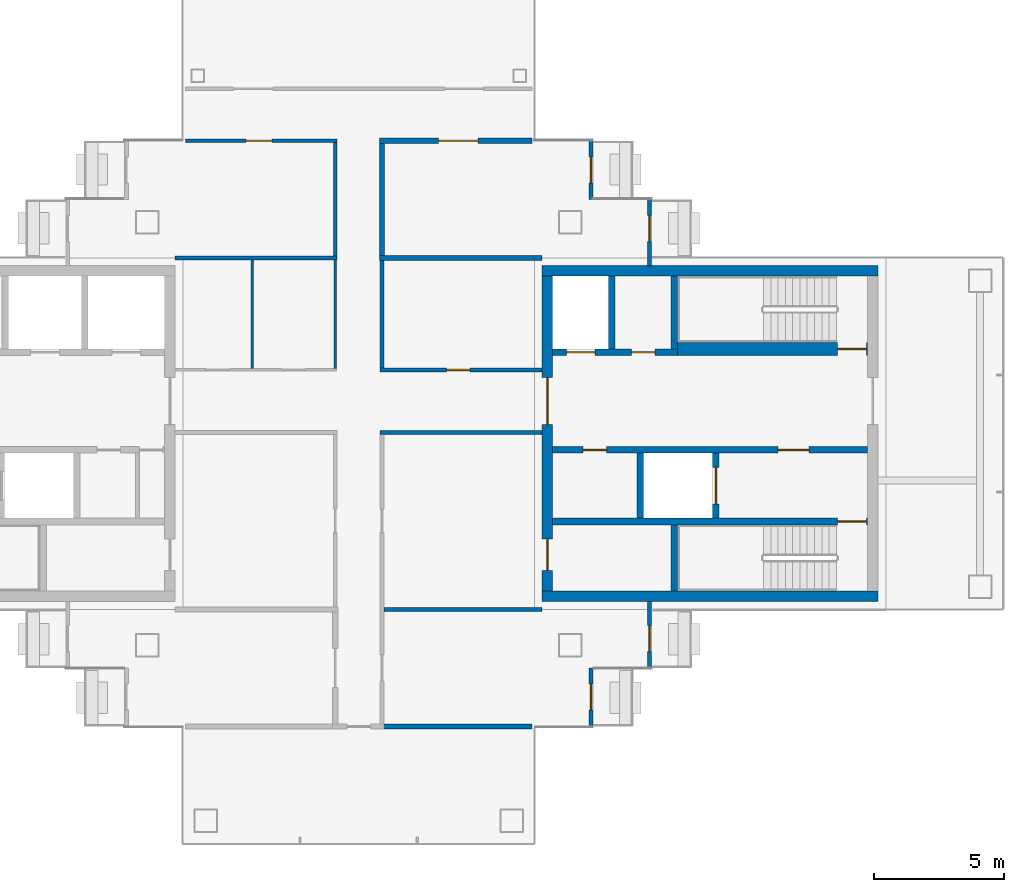
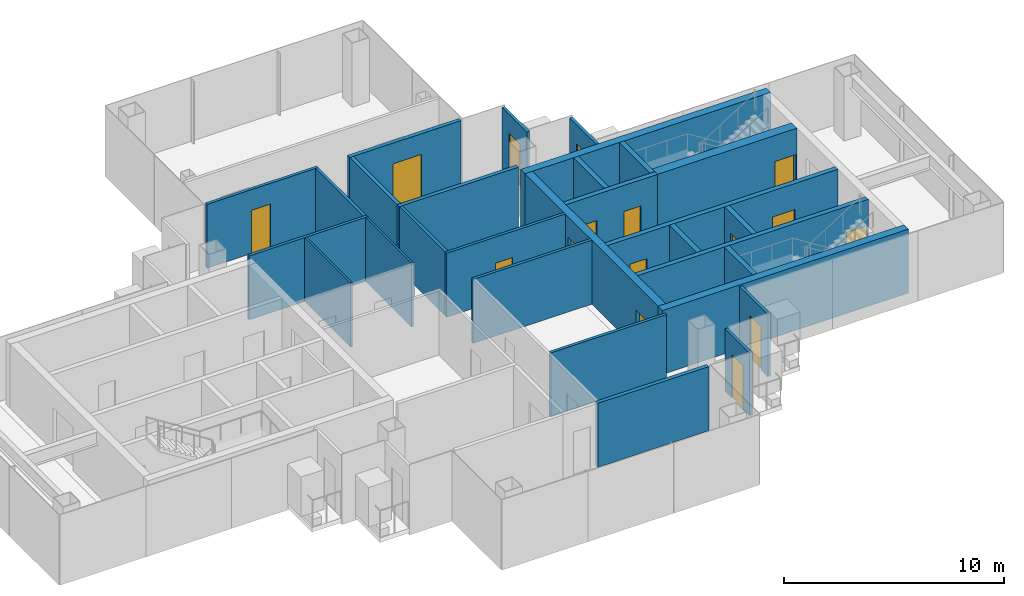
# One storey, part 12 of 17: 29 walls, 16 doors, 16 openings.
"""IFC4 building model written with IfcOpenShell, lengths in metres."""

from ifc_helpers import new_model, si_unit, direction, frame, frame_2d, origin, place, context, subcontext, project, spatial, rectangle, extrude, material, layer, layer_set, type_object, element, fill, save


model = new_model("IFC4")

# Units and contexts
model_context = context("Model", 3, precision=1e-05, world=origin(), true_north=direction((0.0, 1.0)))
body_context = subcontext(model_context, "Body", "Model", "MODEL_VIEW")
ifc_project = project(units=[si_unit("LENGTHUNIT", "METRE"), si_unit("AREAUNIT", "SQUARE_METRE"), si_unit("VOLUMEUNIT", "CUBIC_METRE"), si_unit("PLANEANGLEUNIT", "RADIAN"), si_unit("MASSUNIT", "GRAM", prefix="KILO")], contexts=[model_context])

# Site, building, storey
site_placement = place(None, origin())
site = spatial("IfcSite", under=ifc_project, at=site_placement, CompositionType="ELEMENT")
building_placement = place(site_placement, origin())
building = spatial("IfcBuilding", under=site, at=building_placement, Name="Shamsa Quay Exchange Towers", CompositionType="ELEMENT")
storey_placement = place(building_placement, frame((0.0, 0.0, 234.300048828125)))
storey = spatial("IfcBuildingStorey", under=building, at=storey_placement, Name="L56", CompositionType="ELEMENT", Elevation=234.300048828125)

# Wall
ifc_material_1 = material(Name="Double-leaf gypsum board partition with acoustic insulation")
ifc_layer_1 = layer(ifc_material_1, 0.199951171875)
ifc_layer_set_1 = layer_set([ifc_layer_1], Name="Acoustic partition 200 mm EI 60")
wall_type_1 = type_object("IfcWallType", Name="Acoustic partition 200 mm EI 60", PredefinedType="PARTITIONING", material=ifc_layer_set_1)
wall_1_placement = place(storey_placement, frame((34.650390625, 11.14990234375, 0.0), z_axis=(0.0, 0.0, 1.0), x_axis=(0.0, -1.0, 0.0)))
element("IfcWall", 1, at=wall_1_placement, inside=storey, type_object=wall_type_1, Name="Partition T2-R25-W11", PredefinedType="PARTITIONING", context=body_context, shape_type="SweptSolid", body=[
    extrude(rectangle(XDim=4.2998046875, YDim=0.199951171875, at=frame_2d((2.14990234375, 0.0))), origin(), (0.0, 0.0, 1.0), 3.550048828125),
])

# Wall, opening, door
wall_2_placement = place(storey_placement, frame((40.405029296875, 11.25, 0.0), z_axis=(0.0, 0.0, 1.0), x_axis=(-1.0, 0.0, 0.0)))
wall_2 = element("IfcWall", 2, at=wall_2_placement, inside=storey, type_object=wall_type_1, Name="Partition T2-R25-W12", PredefinedType="PARTITIONING", context=body_context, shape_type="SweptSolid", body=[
    extrude(rectangle(XDim=5.854736328125, YDim=0.199951171875, at=frame_2d((2.92724609375, 0.0))), origin(), (0.0, 0.0, 1.0), 3.550048828125),
])
opening_1_placement = place(wall_2_placement, frame((2.079833984375, 0.0, 0.0)))
opening_1 = element("IfcOpeningElement", 3, at=opening_1_placement, cuts=wall_2, Name="Opening T2-R25-D04", PredefinedType="OPENING", context=body_context, shape_type="SweptSolid", body=[
    extrude(rectangle(XDim=1.5, YDim=2.39990234375, at=frame_2d((0.75, 1.199951171875))), frame((0.0, 0.10986328125, 0.0), z_axis=(0.0, -1.0, 0.0), x_axis=(1.0, 0.0, 0.0)), (0.0, 0.0, 1.0), 0.219970703125),
])
ifc_material_2 = material(Name="Timber door leaf in a metal frame", Category="wood")
door_type_1 = type_object("IfcDoorType", Name="Door 1500x2400 FD30S pair", OperationType="NOTDEFINED", PredefinedType="DOOR", material=ifc_material_2)
door_1_placement = place(opening_1_placement, origin())
door_1 = element("IfcDoor", 4, at=door_1_placement, inside=storey, type_object=door_type_1, Name="Door T2-R25-D04", OperationType="DOUBLE_DOOR_SINGLE_SWING", OverallHeight=2.39990234375, OverallWidth=1.5, PredefinedType="DOOR", context=body_context, shape_type="SweptSolid", body=[
    extrude(rectangle(XDim=1.5, YDim=2.39990234375, at=frame_2d((0.75, 1.199951171875))), frame((0.0, 0.02490234375, 0.0), z_axis=(0.0, -1.0, 0.0), x_axis=(1.0, 0.0, 0.0)), (0.0, 0.0, 1.0), 0.050048828125),
])
fill(opening_1, door_1)

# Walls
wall_3_placement = place(storey_placement, frame((40.800048828125, 6.75, 0.0), z_axis=(0.0, 0.0, 1.0), x_axis=(-1.0, 0.0, 0.0)))
element("IfcWall", 5, at=wall_3_placement, inside=storey, type_object=wall_type_1, Name="Partition T2-R25-W19", PredefinedType="PARTITIONING", context=body_context, shape_type="SweptSolid", body=[
    extrude(rectangle(XDim=6.249755859375, YDim=0.199951171875, at=frame_2d((3.125, 0.0))), origin(), (0.0, 0.0, 1.0), 3.550048828125),
])
wall_4_placement = place(storey_placement, frame((34.575439453125, -11.25, 0.0)))
element("IfcWall", 6, at=wall_4_placement, inside=storey, type_object=wall_type_1, Name="Partition T2-R25-W21", PredefinedType="PARTITIONING", context=body_context, shape_type="SweptSolid", body=[
    extrude(rectangle(XDim=5.82958984375, YDim=0.199951171875, at=frame_2d((2.914794921875, 0.0))), origin(), (0.0, 0.0, 1.0), 3.550048828125),
])

# Wall, opening, door
ifc_material_3 = material(Name="Aluminium EN AW-6063 T6, black anodised, with black enamelled glass infill", Category="aluminium")
ifc_layer_2 = layer(ifc_material_3, 0.14990234375)
ifc_layer_set_2 = layer_set([ifc_layer_2], Name="BALCONY DOOR BAY WALL 150")
wall_type_2 = type_object("IfcWallType", Name="BALCONY DOOR BAY WALL 150", PredefinedType="SOLIDWALL", material=ifc_layer_set_2)
wall_5_placement = place(storey_placement, frame((42.675048828125, 11.25, 0.0), z_axis=(0.0, 0.0, 1.0), x_axis=(0.0, -1.0, 0.0)))
wall_5 = element("IfcWall", 7, at=wall_5_placement, inside=storey, type_object=wall_type_2, Name="Door bay T2-PKES L56", PredefinedType="SOLIDWALL", context=body_context, shape_type="SweptSolid", body=[
    extrude(rectangle(XDim=2.25, YDim=0.14990234375, at=frame_2d((1.125, 0.0))), origin(), (0.0, 0.0, 1.0), 3.449951171875),
])
opening_2_placement = place(wall_5_placement, frame((0.625, 0.0, 0.0)))
opening_2 = element("IfcOpeningElement", 8, at=opening_2_placement, cuts=wall_5, Name="Opening XD371", PredefinedType="OPENING", context=body_context, shape_type="SweptSolid", body=[
    extrude(rectangle(XDim=1.0, YDim=2.39990234375, at=frame_2d((0.5, 1.199951171875))), frame((0.0, 0.0849609375, 0.0), z_axis=(0.0, -1.0, 0.0), x_axis=(1.0, 0.0, 0.0)), (0.0, 0.0, 1.0), 0.169921875),
])
ifc_material_4 = material(Name="Aluminium EN AW-6063 T6, black anodised, with laminated glass leaf", Category="aluminium")
door_type_2 = type_object("IfcDoorType", Name="BALCONY DOOR 1000x2400", OperationType="SINGLE_SWING_LEFT", PredefinedType="DOOR", material=ifc_material_4)
door_2_placement = place(opening_2_placement, origin())
door_2 = element("IfcDoor", 9, at=door_2_placement, inside=storey, type_object=door_type_2, Name="Balcony door T2-PKES L56", OperationType="SINGLE_SWING_RIGHT", OverallHeight=2.39990234375, OverallWidth=1.0, PredefinedType="DOOR", context=body_context, shape_type="SweptSolid", body=[
    extrude(rectangle(XDim=1.0, YDim=2.39990234375, at=frame_2d((0.5, 1.199951171875))), frame((0.0, 0.02490234375, 0.0), z_axis=(0.0, -1.0, 0.0), x_axis=(1.0, 0.0, 0.0)), (0.0, 0.0, 1.0), 0.050048828125),
])
fill(opening_2, door_2)

wall_6_placement = place(storey_placement, frame((44.925048828125, 9.0, 0.0), z_axis=(0.0, 0.0, 1.0), x_axis=(0.0, -1.0, 0.0)))
wall_6 = element("IfcWall", 10, at=wall_6_placement, inside=storey, type_object=wall_type_2, Name="Door bay T2-PKES L56", PredefinedType="SOLIDWALL", context=body_context, shape_type="SweptSolid", body=[
    extrude(rectangle(XDim=2.556884765625, YDim=0.14990234375, at=frame_2d((1.2783203125, 0.0))), origin(), (0.0, 0.0, 1.0), 3.449951171875),
])
opening_3_placement = place(wall_6_placement, frame((0.625, 0.0, 0.0)))
opening_3 = element("IfcOpeningElement", 11, at=opening_3_placement, cuts=wall_6, Name="Opening XD372", PredefinedType="OPENING", context=body_context, shape_type="SweptSolid", body=[
    extrude(rectangle(XDim=1.0, YDim=2.39990234375, at=frame_2d((0.5, 1.199951171875))), frame((0.0, 0.0849609375, 0.0), z_axis=(0.0, -1.0, 0.0), x_axis=(1.0, 0.0, 0.0)), (0.0, 0.0, 1.0), 0.169921875),
])
door_3_placement = place(opening_3_placement, origin())
door_3 = element("IfcDoor", 12, at=door_3_placement, inside=storey, type_object=door_type_2, Name="Balcony door T2-PKES L56", OperationType="SINGLE_SWING_LEFT", OverallHeight=2.39990234375, OverallWidth=1.0, PredefinedType="DOOR", context=body_context, shape_type="SweptSolid", body=[
    extrude(rectangle(XDim=1.0, YDim=2.39990234375, at=frame_2d((0.5, 1.199951171875))), frame((0.0, 0.02490234375, 0.0), z_axis=(0.0, -1.0, 0.0), x_axis=(1.0, 0.0, 0.0)), (0.0, 0.0, 1.0), 0.050048828125),
])
fill(opening_3, door_3)

wall_7_placement = place(storey_placement, frame((42.675048828125, -9.0, 0.0), z_axis=(0.0, 0.0, 1.0), x_axis=(0.0, -1.0, 0.0)))
wall_7 = element("IfcWall", 13, at=wall_7_placement, inside=storey, type_object=wall_type_2, Name="Door bay T2-PKWS L56", PredefinedType="SOLIDWALL", context=body_context, shape_type="SweptSolid", body=[
    extrude(rectangle(XDim=2.25, YDim=0.14990234375, at=frame_2d((1.125, 0.0))), origin(), (0.0, 0.0, 1.0), 3.449951171875),
])
opening_4_placement = place(wall_7_placement, frame((0.625, 0.0, 0.0)))
opening_4 = element("IfcOpeningElement", 14, at=opening_4_placement, cuts=wall_7, Name="Opening XD375", PredefinedType="OPENING", context=body_context, shape_type="SweptSolid", body=[
    extrude(rectangle(XDim=1.0, YDim=2.39990234375, at=frame_2d((0.5, 1.199951171875))), frame((0.0, 0.0849609375, 0.0), z_axis=(0.0, -1.0, 0.0), x_axis=(1.0, 0.0, 0.0)), (0.0, 0.0, 1.0), 0.169921875),
])
door_4_placement = place(opening_4_placement, origin())
door_4 = element("IfcDoor", 15, at=door_4_placement, inside=storey, type_object=door_type_2, Name="Balcony door T2-PKWS L56", OperationType="SINGLE_SWING_LEFT", OverallHeight=2.39990234375, OverallWidth=1.0, PredefinedType="DOOR", context=body_context, shape_type="SweptSolid", body=[
    extrude(rectangle(XDim=1.0, YDim=2.39990234375, at=frame_2d((0.5, 1.199951171875))), frame((0.0, 0.02490234375, 0.0), z_axis=(0.0, -1.0, 0.0), x_axis=(1.0, 0.0, 0.0)), (0.0, 0.0, 1.0), 0.050048828125),
])
fill(opening_4, door_4)

wall_8_placement = place(storey_placement, frame((44.925048828125, -6.447998046875, 0.0), z_axis=(0.0, 0.0, 1.0), x_axis=(0.0, -1.0, 0.0)))
wall_8 = element("IfcWall", 16, at=wall_8_placement, inside=storey, type_object=wall_type_2, Name="Door bay T2-PKWS L56", PredefinedType="SOLIDWALL", context=body_context, shape_type="SweptSolid", body=[
    extrude(rectangle(XDim=2.552001953125, YDim=0.14990234375, at=frame_2d((1.27587890625, 0.0))), origin(), (0.0, 0.0, 1.0), 3.449951171875),
])
opening_5_placement = place(wall_8_placement, frame((0.927001953125, 0.0, 0.0)))
opening_5 = element("IfcOpeningElement", 17, at=opening_5_placement, cuts=wall_8, Name="Opening XD376", PredefinedType="OPENING", context=body_context, shape_type="SweptSolid", body=[
    extrude(rectangle(XDim=1.0, YDim=2.39990234375, at=frame_2d((0.5, 1.199951171875))), frame((0.0, 0.0849609375, 0.0), z_axis=(0.0, -1.0, 0.0), x_axis=(1.0, 0.0, 0.0)), (0.0, 0.0, 1.0), 0.169921875),
])
door_5_placement = place(opening_5_placement, origin())
door_5 = element("IfcDoor", 18, at=door_5_placement, inside=storey, type_object=door_type_2, Name="Balcony door T2-PKWS L56", OperationType="SINGLE_SWING_RIGHT", OverallHeight=2.39990234375, OverallWidth=1.0, PredefinedType="DOOR", context=body_context, shape_type="SweptSolid", body=[
    extrude(rectangle(XDim=1.0, YDim=2.39990234375, at=frame_2d((0.5, 1.199951171875))), frame((0.0, 0.02490234375, 0.0), z_axis=(0.0, -1.0, 0.0), x_axis=(1.0, 0.0, 0.0)), (0.0, 0.0, 1.0), 0.050048828125),
])
fill(opening_5, door_5)

# Walls
ifc_material_5 = material(Name="Concrete C60/75", Category="concrete")
ifc_layer_3 = layer(ifc_material_5, 0.39990234375)
ifc_layer_set_3 = layer_set([ifc_layer_3], Name="CORE WALL 400 C60/75")
wall_type_3 = type_object("IfcWallType", Name="CORE WALL 400 C60/75", PredefinedType="SHEAR", material=ifc_layer_set_3)
for number, where, z_axis, x_axis, name in (
    (19, (53.699951171875, -6.25, 0.0), (0.0, 0.0, 1.0), (-1.0, 0.0, 0.0), "Core wall T2B-R25-PS"),
    (20, (53.699951171875, 6.25, 0.0), (0.0, 0.0, 1.0), (-1.0, 0.0, 0.0), "Core wall T2B-R25-PN"),
):
    element("IfcWall", number, at=place(storey_placement, frame(where, z_axis=z_axis, x_axis=x_axis)), inside=storey, type_object=wall_type_3, Name=name, PredefinedType="SHEAR", context=body_context, shape_type="SweptSolid", body=[
        extrude(rectangle(XDim=12.89990234375, YDim=0.39990234375, at=frame_2d((6.449951171875, 0.0))), origin(), (0.0, 0.0, 1.0), 3.550048828125),
    ])

# Wall, openings, doors
wall_9_placement = place(storey_placement, frame((41.0, -6.050048828125, 0.0), z_axis=(0.0, 0.0, 1.0), x_axis=(0.0, 1.0, 0.0)))
wall_9 = element("IfcWall", 21, at=wall_9_placement, inside=storey, type_object=wall_type_3, Name="Core wall T2B-R25-PB", PredefinedType="SHEAR", context=body_context, shape_type="SweptSolid", body=[
    extrude(rectangle(XDim=12.10009765625, YDim=0.39990234375, at=frame_2d((6.050048828125, 0.0))), origin(), (0.0, 0.0, 1.0), 3.550048828125),
])
opening_6_placement = place(wall_9_placement, frame((0.800048828125, 0.0, 0.0)))
opening_6 = element("IfcOpeningElement", 22, at=opening_6_placement, cuts=wall_9, Name="Opening T2B-R25-RD02", PredefinedType="OPENING", context=body_context, shape_type="SweptSolid", body=[
    extrude(rectangle(XDim=1.199951171875, YDim=2.10009765625, at=frame_2d((0.60009765625, 1.050048828125))), frame((0.0, 0.2099609375, 0.0), z_axis=(0.0, -1.0, 0.0), x_axis=(1.0, 0.0, 0.0)), (0.0, 0.0, 1.0), 0.419921875),
])
opening_7_placement = place(wall_9_placement, frame((6.39990234375, 0.0, 0.0)))
opening_7 = element("IfcOpeningElement", 23, at=opening_7_placement, cuts=wall_9, Name="Opening T2B-R25-LBD03", PredefinedType="OPENING", context=body_context, shape_type="SweptSolid", body=[
    extrude(rectangle(XDim=1.800048828125, YDim=2.39990234375, at=frame_2d((0.89990234375, 1.199951171875))), frame((0.0, 0.2099609375, 0.0), z_axis=(0.0, -1.0, 0.0), x_axis=(1.0, 0.0, 0.0)), (0.0, 0.0, 1.0), 0.419921875),
])
ifc_material_6 = material(Name="Steel, fire rated", Category="steel")
door_type_3 = type_object("IfcDoorType", Name="LIFT LOBBY DOOR PAIR 1800", OperationType="DOUBLE_DOOR_SINGLE_SWING", PredefinedType="DOOR", material=ifc_material_6)
door_6_placement = place(opening_7_placement, origin())
door_6 = element("IfcDoor", 24, at=door_6_placement, inside=storey, type_object=door_type_3, Name="T2B-R25-LBD03", OperationType="DOUBLE_DOOR_SINGLE_SWING", OverallHeight=2.39990234375, OverallWidth=1.800048828125, PredefinedType="DOOR", context=body_context, shape_type="SweptSolid", body=[
    extrude(rectangle(XDim=1.800048828125, YDim=2.39990234375, at=frame_2d((0.89990234375, 1.199951171875))), frame((0.0, 0.02490234375, 0.0), z_axis=(0.0, -1.0, 0.0), x_axis=(1.0, 0.0, 0.0)), (0.0, 0.0, 1.0), 0.050048828125),
])
fill(opening_7, door_6)
door_type_4 = type_object("IfcDoorType", Name="RISER ACCESS DOOR 1200", OperationType="SINGLE_SWING_LEFT", PredefinedType="DOOR", material=ifc_material_6)
door_7_placement = place(opening_6_placement, origin())
door_7 = element("IfcDoor", 25, at=door_7_placement, inside=storey, type_object=door_type_4, Name="T2B-R25-RD02", OperationType="SINGLE_SWING_LEFT", OverallHeight=2.10009765625, OverallWidth=1.199951171875, PredefinedType="DOOR", context=body_context, shape_type="SweptSolid", body=[
    extrude(rectangle(XDim=1.199951171875, YDim=2.10009765625, at=frame_2d((0.60009765625, 1.050048828125))), frame((0.0, 0.02490234375, 0.0), z_axis=(0.0, -1.0, 0.0), x_axis=(1.0, 0.0, 0.0)), (0.0, 0.0, 1.0), 0.050048828125),
])
fill(opening_6, door_7)

# Walls
ifc_material_7 = material(Name="Gypsum board partition on metal studs")
ifc_layer_4 = layer(ifc_material_7, 0.10009765625)
ifc_layer_set_4 = layer_set([ifc_layer_4], Name="Partition 100 mm NOT RATED")
wall_type_4 = type_object("IfcWallType", Name="Partition 100 mm NOT RATED", PredefinedType="PARTITIONING", material=ifc_layer_set_4)
for number, where, z_axis, x_axis, name in (
    (26, (32.849609375, 2.500244140625, 0.0), (0.0, 0.0, 1.0), (0.0, 1.0, 0.0), "Partition T2-R25-W01"),
    (27, (29.662109375, 6.675048828125, 0.0), (0.0, 0.0, 1.0), (0.0, -1.0, 0.0), "Partition T2-R25-W16"),
):
    element("IfcWall", number, at=place(storey_placement, frame(where, z_axis=z_axis, x_axis=x_axis)), inside=storey, type_object=wall_type_4, Name=name, PredefinedType="PARTITIONING", context=body_context, shape_type="SweptSolid", body=[
        extrude(rectangle(XDim=4.1748046875, YDim=0.10009765625, at=frame_2d((2.08740234375, 0.0))), origin(), (0.0, 0.0, 1.0), 3.550048828125),
    ])
ifc_layer_5 = layer(ifc_material_7, 0.14990234375)
ifc_layer_set_5 = layer_set([ifc_layer_5], Name="Partition 150 mm EI 60")
wall_type_5 = type_object("IfcWallType", Name="Partition 150 mm EI 60", PredefinedType="PARTITIONING", material=ifc_layer_set_5)
wall_10_placement = place(storey_placement, frame((40.800048828125, 0.0498046875, 0.0), z_axis=(0.0, 0.0, 1.0), x_axis=(-1.0, 0.0, 0.0)))
element("IfcWall", 28, at=wall_10_placement, inside=storey, type_object=wall_type_5, Name="Partition T2-R25-W04", PredefinedType="PARTITIONING", context=body_context, shape_type="SweptSolid", body=[
    extrude(rectangle(XDim=6.224609375, YDim=0.14990234375, at=frame_2d((3.1123046875, 0.0))), origin(), (0.0, 0.0, 1.0), 3.550048828125),
])
wall_11_placement = place(storey_placement, frame((32.849609375, 6.824951171875, 0.0), z_axis=(0.0, 0.0, 1.0), x_axis=(0.0, 1.0, 0.0)))
element("IfcWall", 29, at=wall_11_placement, inside=storey, type_object=wall_type_5, Name="Partition T2-R25-W05", PredefinedType="PARTITIONING", context=body_context, shape_type="SweptSolid", body=[
    extrude(rectangle(XDim=4.35009765625, YDim=0.14990234375, at=frame_2d((2.175048828125, 0.0))), origin(), (0.0, 0.0, 1.0), 3.550048828125),
])

# Wall, opening, door
wall_12_placement = place(storey_placement, frame((34.575439453125, 2.4501953125, 0.0)))
wall_12 = element("IfcWall", 30, at=wall_12_placement, inside=storey, type_object=wall_type_5, Name="Partition T2-R25-W07", PredefinedType="PARTITIONING", context=body_context, shape_type="SweptSolid", body=[
    extrude(rectangle(XDim=6.224609375, YDim=0.14990234375, at=frame_2d((3.1123046875, 0.0))), origin(), (0.0, 0.0, 1.0), 3.550048828125),
])
opening_8_placement = place(wall_12_placement, frame((2.5498046875, 0.0, 0.0)))
opening_8 = element("IfcOpeningElement", 31, at=opening_8_placement, cuts=wall_12, Name="Opening T2-R25-D01", PredefinedType="OPENING", context=body_context, shape_type="SweptSolid", body=[
    extrude(rectangle(XDim=0.89990234375, YDim=2.10009765625, at=frame_2d((0.449951171875, 1.050048828125))), frame((0.0, 0.0849609375, 0.0), z_axis=(0.0, -1.0, 0.0), x_axis=(1.0, 0.0, 0.0)), (0.0, 0.0, 1.0), 0.169921875),
])
door_type_5 = type_object("IfcDoorType", Name="Door 900x2100 FD30S", OperationType="NOTDEFINED", PredefinedType="DOOR", material=ifc_material_2)
door_8_placement = place(opening_8_placement, origin())
door_8 = element("IfcDoor", 32, at=door_8_placement, inside=storey, type_object=door_type_5, Name="Door T2-R25-D01", OperationType="SINGLE_SWING_RIGHT", OverallHeight=2.10009765625, OverallWidth=0.89990234375, PredefinedType="DOOR", context=body_context, shape_type="SweptSolid", body=[
    extrude(rectangle(XDim=0.89990234375, YDim=2.10009765625, at=frame_2d((0.449951171875, 1.050048828125))), frame((0.0, 0.02490234375, 0.0), z_axis=(0.0, -1.0, 0.0), x_axis=(1.0, 0.0, 0.0)), (0.0, 0.0, 1.0), 0.050048828125),
])
fill(opening_8, door_8)

# Wall
wall_13_placement = place(storey_placement, frame((34.650390625, 6.64990234375, 0.0), z_axis=(0.0, 0.0, 1.0), x_axis=(0.0, -1.0, 0.0)))
element("IfcWall", 33, at=wall_13_placement, inside=storey, type_object=wall_type_5, Name="Partition T2-R25-W09", PredefinedType="PARTITIONING", context=body_context, shape_type="SweptSolid", body=[
    extrude(rectangle(XDim=4.124755859375, YDim=0.14990234375, at=frame_2d((2.0625, 0.0))), origin(), (0.0, 0.0, 1.0), 3.550048828125),
])

# Wall, opening, door
wall_14_placement = place(storey_placement, frame((32.924560546875, 11.25, 0.0), z_axis=(0.0, 0.0, 1.0), x_axis=(-1.0, 0.0, 0.0)))
wall_14 = element("IfcWall", 34, at=wall_14_placement, inside=storey, type_object=wall_type_5, Name="Partition T2-R25-W10", PredefinedType="PARTITIONING", context=body_context, shape_type="SweptSolid", body=[
    extrude(rectangle(XDim=5.82958984375, YDim=0.14990234375, at=frame_2d((2.914794921875, 0.0))), origin(), (0.0, 0.0, 1.0), 3.550048828125),
])
opening_9_placement = place(wall_14_placement, frame((2.499755859375, 0.0, 0.0)))
opening_9 = element("IfcOpeningElement", 35, at=opening_9_placement, cuts=wall_14, Name="Opening T2-R25-D10", PredefinedType="OPENING", context=body_context, shape_type="SweptSolid", body=[
    extrude(rectangle(XDim=1.0, YDim=2.39990234375, at=frame_2d((0.5, 1.199951171875))), frame((0.0, 0.0849609375, 0.0), z_axis=(0.0, -1.0, 0.0), x_axis=(1.0, 0.0, 0.0)), (0.0, 0.0, 1.0), 0.169921875),
])
door_type_6 = type_object("IfcDoorType", Name="Door 1000x2400 FD30S", OperationType="NOTDEFINED", PredefinedType="DOOR", material=ifc_material_2)
door_9_placement = place(opening_9_placement, origin())
door_9 = element("IfcDoor", 36, at=door_9_placement, inside=storey, type_object=door_type_6, Name="Door T2-R25-D10", OperationType="SINGLE_SWING_LEFT", OverallHeight=2.39990234375, OverallWidth=1.0, PredefinedType="DOOR", context=body_context, shape_type="SweptSolid", body=[
    extrude(rectangle(XDim=1.0, YDim=2.39990234375, at=frame_2d((0.5, 1.199951171875))), frame((0.0, 0.02490234375, 0.0), z_axis=(0.0, -1.0, 0.0), x_axis=(1.0, 0.0, 0.0)), (0.0, 0.0, 1.0), 0.050048828125),
])
fill(opening_9, door_9)

# Walls
wall_15_placement = place(storey_placement, frame((32.924560546875, 6.75, 0.0), z_axis=(0.0, 0.0, 1.0), x_axis=(-1.0, 0.0, 0.0)))
element("IfcWall", 37, at=wall_15_placement, inside=storey, type_object=wall_type_5, Name="Partition T2-R25-W17", PredefinedType="PARTITIONING", context=body_context, shape_type="SweptSolid", body=[
    extrude(rectangle(XDim=6.224609375, YDim=0.14990234375, at=frame_2d((3.1123046875, 0.0))), origin(), (0.0, 0.0, 1.0), 3.550048828125),
])
wall_16_placement = place(storey_placement, frame((34.725341796875, -6.75, 0.0)))
element("IfcWall", 38, at=wall_16_placement, inside=storey, type_object=wall_type_5, Name="Partition T2-R25-W20", PredefinedType="PARTITIONING", context=body_context, shape_type="SweptSolid", body=[
    extrude(rectangle(XDim=6.07470703125, YDim=0.14990234375, at=frame_2d((3.037353515625, 0.0))), origin(), (0.0, 0.0, 1.0), 3.550048828125),
])

# Wall, opening, door
ifc_material_8 = material(Name="Concrete C50/60", Category="concrete")
ifc_layer_6 = layer(ifc_material_8, 0.25)
ifc_layer_set_6 = layer_set([ifc_layer_6], Name="SHAFT WALL 250 C50/60")
wall_type_6 = type_object("IfcWallType", Name="SHAFT WALL 250 C50/60", PredefinedType="SHEAR", material=ifc_layer_set_6)
wall_17_placement = place(storey_placement, frame((53.300048828125, -3.375, 0.0), z_axis=(0.0, 0.0, 1.0), x_axis=(-1.0, 0.0, 0.0)))
wall_17 = element("IfcWall", 39, at=wall_17_placement, inside=storey, type_object=wall_type_6, Name="Shaft wall T2B-R25-STL", PredefinedType="SHEAR", context=body_context, shape_type="SweptSolid", body=[
    extrude(rectangle(XDim=12.10009765625, YDim=0.25, at=frame_2d((6.050048828125, 0.0))), origin(), (0.0, 0.0, 1.0), 3.550048828125),
])
opening_10_placement = place(wall_17_placement, frame((0.050048828125, 0.0, 0.0)))
opening_10 = element("IfcOpeningElement", 40, at=opening_10_placement, cuts=wall_17, Name="Opening T2B-R25-SD04", PredefinedType="OPENING", context=body_context, shape_type="SweptSolid", body=[
    extrude(rectangle(XDim=1.10009765625, YDim=2.10009765625, at=frame_2d((0.550048828125, 1.050048828125))), frame((0.0, 0.135009765625, 0.0), z_axis=(0.0, -1.0, 0.0), x_axis=(1.0, 0.0, 0.0)), (0.0, 0.0, 1.0), 0.27001953125),
])
door_type_7 = type_object("IfcDoorType", Name="STAIR DOOR 1100", OperationType="SINGLE_SWING_LEFT", PredefinedType="DOOR", material=ifc_material_6)
door_10_placement = place(opening_10_placement, origin())
door_10 = element("IfcDoor", 41, at=door_10_placement, inside=storey, type_object=door_type_7, Name="T2B-R25-SD04", OperationType="SINGLE_SWING_LEFT", OverallHeight=2.10009765625, OverallWidth=1.10009765625, PredefinedType="DOOR", context=body_context, shape_type="SweptSolid", body=[
    extrude(rectangle(XDim=1.10009765625, YDim=2.10009765625, at=frame_2d((0.550048828125, 1.050048828125))), frame((0.0, 0.02490234375, 0.0), z_axis=(0.0, -1.0, 0.0), x_axis=(1.0, 0.0, 0.0)), (0.0, 0.0, 1.0), 0.050048828125),
])
fill(opening_10, door_10)

# Wall
wall_18_placement = place(storey_placement, frame((45.875, -6.050048828125, 0.0), z_axis=(0.0, 0.0, 1.0), x_axis=(0.0, 1.0, 0.0)))
element("IfcWall", 42, at=wall_18_placement, inside=storey, type_object=wall_type_6, Name="Shaft wall T2B-R25-STF", PredefinedType="SHEAR", context=body_context, shape_type="SweptSolid", body=[
    extrude(rectangle(XDim=2.550048828125, YDim=0.25, at=frame_2d((1.27490234375, 0.0))), origin(), (0.0, 0.0, 1.0), 3.550048828125),
])

# Wall, openings, doors
wall_19_placement = place(storey_placement, frame((53.300048828125, -0.625, 0.0), z_axis=(0.0, 0.0, 1.0), x_axis=(-1.0, 0.0, 0.0)))
wall_19 = element("IfcWall", 43, at=wall_19_placement, inside=storey, type_object=wall_type_6, Name="Shaft wall T2B-R25-B", PredefinedType="SHEAR", context=body_context, shape_type="SweptSolid", body=[
    extrude(rectangle(XDim=12.10009765625, YDim=0.25, at=frame_2d((6.050048828125, 0.0))), origin(), (0.0, 0.0, 1.0), 3.550048828125),
])
opening_11_placement = place(wall_19_placement, frame((2.25, 0.0, 0.0)))
opening_11 = element("IfcOpeningElement", 44, at=opening_11_placement, cuts=wall_19, Name="Opening T2B-R25-FD05", PredefinedType="OPENING", context=body_context, shape_type="SweptSolid", body=[
    extrude(rectangle(XDim=1.199951171875, YDim=2.10009765625, at=frame_2d((0.60009765625, 1.050048828125))), frame((0.0, 0.135009765625, 0.0), z_axis=(0.0, -1.0, 0.0), x_axis=(1.0, 0.0, 0.0)), (0.0, 0.0, 1.0), 0.27001953125),
])
opening_12_placement = place(wall_19_placement, frame((10.02490234375, 0.0, 0.0)))
opening_12 = element("IfcOpeningElement", 45, at=opening_12_placement, cuts=wall_19, Name="Opening T2B-R25-SV06", PredefinedType="OPENING", context=body_context, shape_type="SweptSolid", body=[
    extrude(rectangle(XDim=0.89990234375, YDim=2.10009765625, at=frame_2d((0.449951171875, 1.050048828125))), frame((0.0, 0.135009765625, 0.0), z_axis=(0.0, -1.0, 0.0), x_axis=(1.0, 0.0, 0.0)), (0.0, 0.0, 1.0), 0.27001953125),
])
door_type_8 = type_object("IfcDoorType", Name="FIRE SERVICE LOBBY DOOR 1200", OperationType="SINGLE_SWING_LEFT", PredefinedType="DOOR", material=ifc_material_6)
door_11_placement = place(opening_11_placement, origin())
door_11 = element("IfcDoor", 46, at=door_11_placement, inside=storey, type_object=door_type_8, Name="T2B-R25-FD05", OperationType="SINGLE_SWING_LEFT", OverallHeight=2.10009765625, OverallWidth=1.199951171875, PredefinedType="DOOR", context=body_context, shape_type="SweptSolid", body=[
    extrude(rectangle(XDim=1.199951171875, YDim=2.10009765625, at=frame_2d((0.60009765625, 1.050048828125))), frame((0.0, 0.02490234375, 0.0), z_axis=(0.0, -1.0, 0.0), x_axis=(1.0, 0.0, 0.0)), (0.0, 0.0, 1.0), 0.050048828125),
])
fill(opening_11, door_11)
door_type_9 = type_object("IfcDoorType", Name="SERVICE ROOM DOOR 900", OperationType="SINGLE_SWING_LEFT", PredefinedType="DOOR", material=ifc_material_6)
door_12_placement = place(opening_12_placement, origin())
door_12 = element("IfcDoor", 47, at=door_12_placement, inside=storey, type_object=door_type_9, Name="T2B-R25-SV06", OperationType="SINGLE_SWING_RIGHT", OverallHeight=2.10009765625, OverallWidth=0.89990234375, PredefinedType="DOOR", context=body_context, shape_type="SweptSolid", body=[
    extrude(rectangle(XDim=0.89990234375, YDim=2.10009765625, at=frame_2d((0.449951171875, 1.050048828125))), frame((0.0, 0.02490234375, 0.0), z_axis=(0.0, -1.0, 0.0), x_axis=(1.0, 0.0, 0.0)), (0.0, 0.0, 1.0), 0.050048828125),
])
fill(opening_12, door_12)

# Wall, opening, door
wall_20_placement = place(storey_placement, frame((47.47509765625, -3.25, 0.0), z_axis=(0.0, 0.0, 1.0), x_axis=(0.0, 1.0, 0.0)))
wall_20 = element("IfcWall", 48, at=wall_20_placement, inside=storey, type_object=wall_type_6, Name="Shaft wall T2B-R25-FFF", PredefinedType="SHEAR", context=body_context, shape_type="SweptSolid", body=[
    extrude(rectangle(XDim=2.5, YDim=0.25, at=frame_2d((1.25, 0.0))), origin(), (0.0, 0.0, 1.0), 3.550048828125),
])
opening_13_placement = place(wall_20_placement, frame((0.550048828125, 0.0, 0.0)))
opening_13 = element("IfcOpeningElement", 49, at=opening_13_placement, cuts=wall_20, Name="Opening T2B-R25-LDG07", PredefinedType="OPENING", context=body_context, shape_type="SweptSolid", body=[
    extrude(rectangle(XDim=1.39990234375, YDim=2.39990234375, at=frame_2d((0.699951171875, 1.199951171875))), frame((0.0, 0.135009765625, 0.0), z_axis=(0.0, -1.0, 0.0), x_axis=(1.0, 0.0, 0.0)), (0.0, 0.0, 1.0), 0.27001953125),
])
door_type_10 = type_object("IfcDoorType", Name="GOODS LIFT LANDING DOOR 1400", OperationType="SLIDING_TO_LEFT", PredefinedType="DOOR", material=ifc_material_6)
door_13_placement = place(opening_13_placement, origin())
door_13 = element("IfcDoor", 50, at=door_13_placement, inside=storey, type_object=door_type_10, Name="T2B-R25-LDG07", OperationType="SLIDING_TO_LEFT", OverallHeight=2.39990234375, OverallWidth=1.39990234375, PredefinedType="DOOR", context=body_context, shape_type="SweptSolid", body=[
    extrude(rectangle(XDim=1.39990234375, YDim=2.39990234375, at=frame_2d((0.699951171875, 1.199951171875))), frame((0.0, 0.02490234375, 0.0), z_axis=(0.0, -1.0, 0.0), x_axis=(1.0, 0.0, 0.0)), (0.0, 0.0, 1.0), 0.050048828125),
])
fill(opening_13, door_13)

# Wall
wall_21_placement = place(storey_placement, frame((44.574951171875, -3.25, 0.0), z_axis=(0.0, 0.0, 1.0), x_axis=(0.0, 1.0, 0.0)))
element("IfcWall", 51, at=wall_21_placement, inside=storey, type_object=wall_type_6, Name="Shaft wall T2B-R25-FFB", PredefinedType="SHEAR", context=body_context, shape_type="SweptSolid", body=[
    extrude(rectangle(XDim=2.5, YDim=0.25, at=frame_2d((1.25, 0.0))), origin(), (0.0, 0.0, 1.0), 3.550048828125),
])

# Wall, openings, doors
wall_22_placement = place(storey_placement, frame((41.199951171875, 3.125, 0.0)))
wall_22 = element("IfcWall", 52, at=wall_22_placement, inside=storey, type_object=wall_type_6, Name="Shaft wall T2B-R25-N2", PredefinedType="SHEAR", context=body_context, shape_type="SweptSolid", body=[
    extrude(rectangle(XDim=4.800048828125, YDim=0.25, at=frame_2d((2.39990234375, 0.0))), origin(), (0.0, 0.0, 1.0), 3.550048828125),
])
opening_14_placement = place(wall_22_placement, frame((0.52490234375, 0.0, 0.0)))
opening_14 = element("IfcOpeningElement", 53, at=opening_14_placement, cuts=wall_22, Name="Opening T2B-R25-LD09", PredefinedType="OPENING", context=body_context, shape_type="SweptSolid", body=[
    extrude(rectangle(XDim=1.10009765625, YDim=2.10009765625, at=frame_2d((0.550048828125, 1.050048828125))), frame((0.0, 0.135009765625, 0.0), z_axis=(0.0, -1.0, 0.0), x_axis=(1.0, 0.0, 0.0)), (0.0, 0.0, 1.0), 0.27001953125),
])
opening_15_placement = place(wall_22_placement, frame((3.02490234375, 0.0, 0.0)))
opening_15 = element("IfcOpeningElement", 54, at=opening_15_placement, cuts=wall_22, Name="Opening T2B-R25-SV10", PredefinedType="OPENING", context=body_context, shape_type="SweptSolid", body=[
    extrude(rectangle(XDim=0.89990234375, YDim=2.10009765625, at=frame_2d((0.449951171875, 1.050048828125))), frame((0.0, 0.135009765625, 0.0), z_axis=(0.0, -1.0, 0.0), x_axis=(1.0, 0.0, 0.0)), (0.0, 0.0, 1.0), 0.27001953125),
])
door_type_11 = type_object("IfcDoorType", Name="LANDING DOOR 1100", OperationType="SLIDING_TO_LEFT", PredefinedType="DOOR", material=ifc_material_6)
door_14_placement = place(opening_14_placement, origin())
door_14 = element("IfcDoor", 55, at=door_14_placement, inside=storey, type_object=door_type_11, Name="T2B-R25-LD09", OperationType="SLIDING_TO_LEFT", OverallHeight=2.10009765625, OverallWidth=1.10009765625, PredefinedType="DOOR", context=body_context, shape_type="SweptSolid", body=[
    extrude(rectangle(XDim=1.10009765625, YDim=2.10009765625, at=frame_2d((0.550048828125, 1.050048828125))), frame((0.0, 0.02490234375, 0.0), z_axis=(0.0, -1.0, 0.0), x_axis=(1.0, 0.0, 0.0)), (0.0, 0.0, 1.0), 0.050048828125),
])
fill(opening_14, door_14)
door_15_placement = place(opening_15_placement, origin())
door_15 = element("IfcDoor", 56, at=door_15_placement, inside=storey, type_object=door_type_9, Name="T2B-R25-SV10", OperationType="SINGLE_SWING_RIGHT", OverallHeight=2.10009765625, OverallWidth=0.89990234375, PredefinedType="DOOR", context=body_context, shape_type="SweptSolid", body=[
    extrude(rectangle(XDim=0.89990234375, YDim=2.10009765625, at=frame_2d((0.449951171875, 1.050048828125))), frame((0.0, 0.02490234375, 0.0), z_axis=(0.0, -1.0, 0.0), x_axis=(1.0, 0.0, 0.0)), (0.0, 0.0, 1.0), 0.050048828125),
])
fill(opening_15, door_15)

# Walls
for number, where, z_axis, x_axis, name in (
    (57, (45.875, 3.25, 0.0), (0.0, 0.0, 1.0), (0.0, 1.0, 0.0), "Shaft wall T2B-R25-STF2"),
    (58, (43.47509765625, 3.25, 0.0), (0.0, 0.0, 1.0), (0.0, 1.0, 0.0), "Shaft wall T2B-R25-D0"),
):
    element("IfcWall", number, at=place(storey_placement, frame(where, z_axis=z_axis, x_axis=x_axis)), inside=storey, type_object=wall_type_6, Name=name, PredefinedType="SHEAR", context=body_context, shape_type="SweptSolid", body=[
        extrude(rectangle(XDim=2.800048828125, YDim=0.25, at=frame_2d((1.39990234375, 0.0))), origin(), (0.0, 0.0, 1.0), 3.550048828125),
    ])

# Wall, opening, door
ifc_layer_7 = layer(ifc_material_8, 0.5)
ifc_layer_set_7 = layer_set([ifc_layer_7], Name="SHAFT WALL 500 C50/60")
wall_type_7 = type_object("IfcWallType", Name="SHAFT WALL 500 C50/60", PredefinedType="SHEAR", material=ifc_layer_set_7)
wall_23_placement = place(storey_placement, frame((46.0, 3.25, 0.0)))
wall_23 = element("IfcWall", 59, at=wall_23_placement, inside=storey, type_object=wall_type_7, Name="Shaft wall T2B-R25-N", PredefinedType="SHEAR", context=body_context, shape_type="SweptSolid", body=[
    extrude(rectangle(XDim=7.300048828125, YDim=0.5, at=frame_2d((3.64990234375, 0.0))), origin(), (0.0, 0.0, 1.0), 3.550048828125),
])
opening_16_placement = place(wall_23_placement, frame((6.14990234375, 0.0, 0.0)))
opening_16 = element("IfcOpeningElement", 60, at=opening_16_placement, cuts=wall_23, Name="Opening T2B-R25-SD08", PredefinedType="OPENING", context=body_context, shape_type="SweptSolid", body=[
    extrude(rectangle(XDim=1.10009765625, YDim=2.10009765625, at=frame_2d((0.550048828125, 1.050048828125))), frame((0.0, 0.260009765625, 0.0), z_axis=(0.0, -1.0, 0.0), x_axis=(1.0, 0.0, 0.0)), (0.0, 0.0, 1.0), 0.52001953125),
])
door_16_placement = place(opening_16_placement, origin())
door_16 = element("IfcDoor", 61, at=door_16_placement, inside=storey, type_object=door_type_7, Name="T2B-R25-SD08", OperationType="SINGLE_SWING_RIGHT", OverallHeight=2.10009765625, OverallWidth=1.10009765625, PredefinedType="DOOR", context=body_context, shape_type="SweptSolid", body=[
    extrude(rectangle(XDim=1.10009765625, YDim=2.10009765625, at=frame_2d((0.550048828125, 1.050048828125))), frame((0.0, 0.02490234375, 0.0), z_axis=(0.0, -1.0, 0.0), x_axis=(1.0, 0.0, 0.0)), (0.0, 0.0, 1.0), 0.050048828125),
])
fill(opening_16, door_16)

save(model, "model.ifc")
